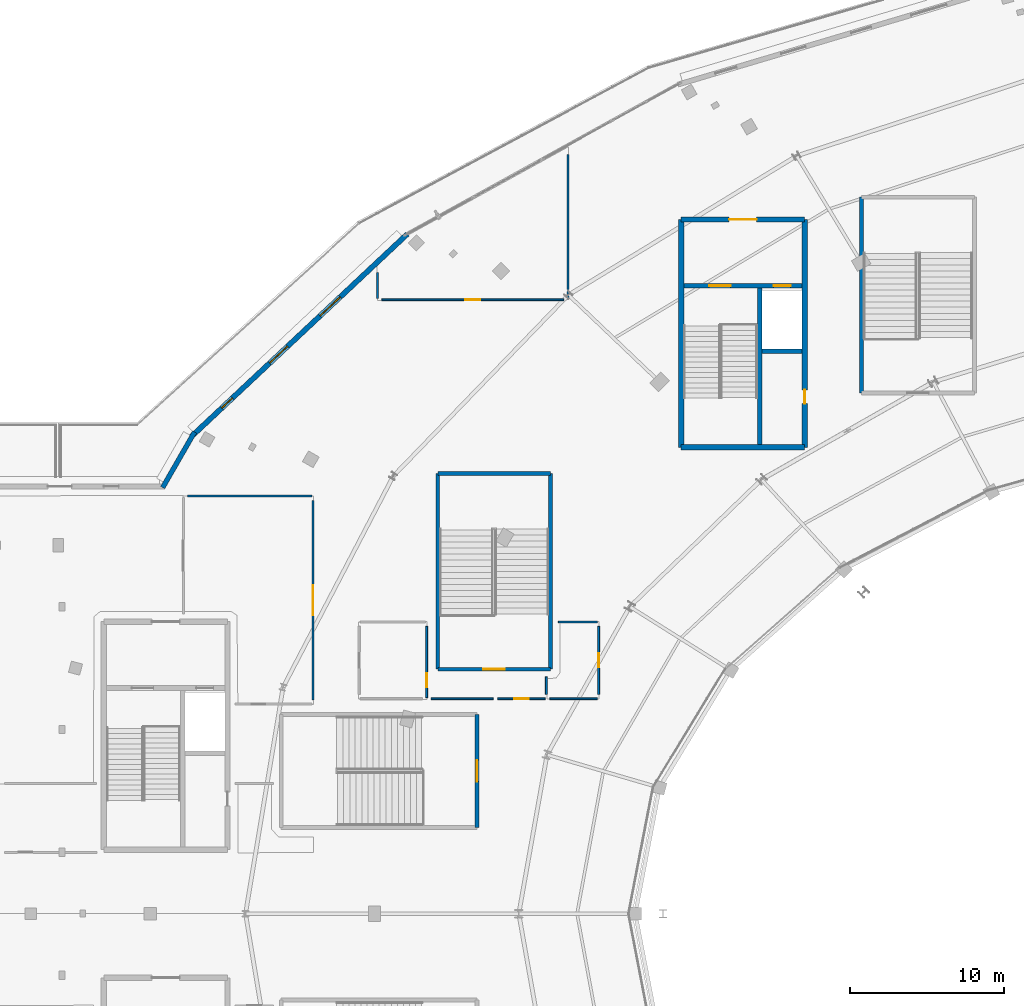
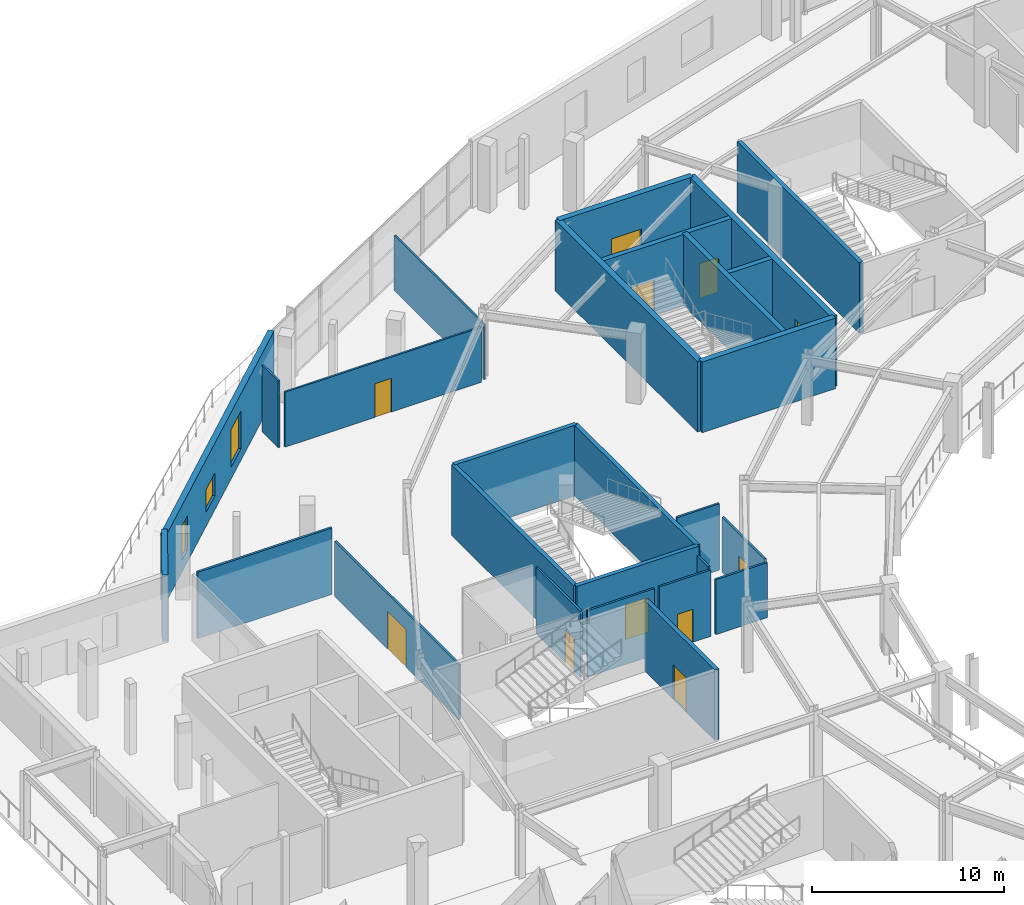
# One storey, part 78 of 107: 27 walls, 11 doors, 3 windows, 14 openings.
"""IFC4 building model written with IfcOpenShell, lengths in metres."""

from ifc_helpers import new_model, si_unit, direction, frame, frame_2d, origin, place, context, subcontext, project, spatial, rectangle, extrude, material, layer, layer_set, type_object, element, fill, save


model = new_model("IFC4")

# Units and contexts
model_context = context("Model", 3, precision=1e-05, world=origin(), true_north=direction((0.0, 1.0)))
body_context = subcontext(model_context, "Body", "Model", "MODEL_VIEW")
ifc_project = project(units=[si_unit("LENGTHUNIT", "METRE"), si_unit("AREAUNIT", "SQUARE_METRE"), si_unit("VOLUMEUNIT", "CUBIC_METRE"), si_unit("PLANEANGLEUNIT", "RADIAN"), si_unit("MASSUNIT", "GRAM", prefix="KILO")], contexts=[model_context])

# Site, building, storey
site_placement = place(None, origin())
site = spatial("IfcSite", under=ifc_project, at=site_placement, CompositionType="ELEMENT")
building_placement = place(site_placement, origin())
building = spatial("IfcBuilding", under=site, at=building_placement, Name="Kalgoora Escarpment Arena", CompositionType="ELEMENT")
storey_placement = place(building_placement, frame((0.0, 0.0, 5.39990234375)))
storey = spatial("IfcBuildingStorey", under=building, at=storey_placement, Name="L01", CompositionType="ELEMENT", Elevation=5.39990234375)

# Wall
ifc_material_1 = material(Name="Concrete N50 (fc' 50 MPa)", Category="concrete")
ifc_layer_1 = layer(ifc_material_1, 0.35009765625)
ifc_layer_set_1 = layer_set([ifc_layer_1], Name="WAL-CORE-350")
wall_type_1 = type_object("IfcWallType", Name="WAL-CORE-350", PredefinedType="SHEAR", material=ifc_layer_set_1)
wall_1_placement = place(storey_placement, frame((48.97509765625, 94.375, 0.0), z_axis=(0.0, 0.0, 1.0), x_axis=(1.0, 0.0, 0.0)))
element("IfcWall", 1, at=wall_1_placement, inside=storey, type_object=wall_type_1, Name="Core C3 L01 south shear wall", PredefinedType="SHEAR", context=body_context, shape_type="SweptSolid", body=[
    extrude(rectangle(XDim=8.0498046875, YDim=0.35009765625, at=frame_2d((4.02490234375, 0.0))), origin(), (0.0, 0.0, 1.0), 4.5),
])

# Wall, opening, door
wall_2_placement = place(storey_placement, frame((48.97509765625, 109.22509765625, 0.0), z_axis=(0.0, 0.0, 1.0), x_axis=(1.0, 0.0, 0.0)))
wall_2 = element("IfcWall", 2, at=wall_2_placement, inside=storey, type_object=wall_type_1, Name="Core C3 L01 north lobby wall", PredefinedType="SHEAR", context=body_context, shape_type="SweptSolid", body=[
    extrude(rectangle(XDim=8.0498046875, YDim=0.35009765625, at=frame_2d((4.02490234375, 0.0))), origin(), (0.0, 0.0, 1.0), 4.5),
])
opening_1_placement = place(wall_2_placement, frame((3.125, 0.0, 0.0)))
opening_1 = element("IfcOpeningElement", 3, at=opening_1_placement, cuts=wall_2, Name="Opening FD-C3L", PredefinedType="OPENING", context=body_context, shape_type="SweptSolid", body=[
    extrude(rectangle(XDim=1.800048828125, YDim=2.25, at=frame_2d((0.89990234375, 1.125))), frame((0.0, 0.18505859375, 0.0), z_axis=(0.0, -1.0, 0.0), x_axis=(1.0, 0.0, 0.0)), (0.0, 0.0, 1.0), 0.3701171875),
])
ifc_material_2 = material(Name="Double fire-rated smoke-seal lobby door")
door_type_1 = type_object("IfcDoorType", Name="DR-LOBBY-1800", OperationType="NOTDEFINED", PredefinedType="DOOR", material=ifc_material_2)
door_1_placement = place(opening_1_placement, origin())
door_1 = element("IfcDoor", 4, at=door_1_placement, inside=storey, type_object=door_type_1, Name="Core C3 L01 smoke-lobby fire door", OperationType="DOUBLE_DOOR_SINGLE_SWING", OverallHeight=2.25, OverallWidth=1.800048828125, PredefinedType="DOOR", context=body_context, shape_type="SweptSolid", body=[
    extrude(rectangle(XDim=1.800048828125, YDim=2.25, at=frame_2d((0.89990234375, 1.125))), frame((0.0, 0.02490234375, 0.0), z_axis=(0.0, -1.0, 0.0), x_axis=(1.0, 0.0, 0.0)), (0.0, 0.0, 1.0), 0.050048828125),
])
fill(opening_1, door_1)

# Wall
wall_3_placement = place(storey_placement, frame((48.97509765625, 94.375, 0.0), z_axis=(0.0, 0.0, 1.0), x_axis=(0.0, 1.0, 0.0)))
element("IfcWall", 5, at=wall_3_placement, inside=storey, type_object=wall_type_1, Name="Core C3 L01 west shear wall", PredefinedType="SHEAR", context=body_context, shape_type="SweptSolid", body=[
    extrude(rectangle(XDim=14.85009765625, YDim=0.35009765625, at=frame_2d((7.425048828125, 0.0))), origin(), (0.0, 0.0, 1.0), 4.5),
])

# Wall, opening, door
wall_4_placement = place(storey_placement, frame((57.02490234375, 94.375, 0.0), z_axis=(0.0, 0.0, 1.0), x_axis=(0.0, 1.0, 0.0)))
wall_4 = element("IfcWall", 6, at=wall_4_placement, inside=storey, type_object=wall_type_1, Name="Core C3 L01 east shear wall", PredefinedType="SHEAR", context=body_context, shape_type="SweptSolid", body=[
    extrude(rectangle(XDim=14.85009765625, YDim=0.35009765625, at=frame_2d((7.425048828125, 0.0))), origin(), (0.0, 0.0, 1.0), 4.5),
])
opening_2_placement = place(wall_4_placement, frame((2.85498046875, 0.0, 0.0)))
opening_2 = element("IfcOpeningElement", 7, at=opening_2_placement, cuts=wall_4, Name="Opening FD-C3R", PredefinedType="OPENING", context=body_context, shape_type="SweptSolid", body=[
    extrude(rectangle(XDim=0.89990234375, YDim=2.10009765625, at=frame_2d((0.449951171875, 1.050048828125))), frame((0.0, 0.18505859375, 0.0), z_axis=(0.0, -1.0, 0.0), x_axis=(1.0, 0.0, 0.0)), (0.0, 0.0, 1.0), 0.3701171875),
])
ifc_material_3 = material(Name="Fire-rated steel riser access door", Category="steel")
door_type_2 = type_object("IfcDoorType", Name="DR-RISER-0900", OperationType="NOTDEFINED", PredefinedType="DOOR", material=ifc_material_3)
door_2_placement = place(opening_2_placement, origin())
door_2 = element("IfcDoor", 8, at=door_2_placement, inside=storey, type_object=door_type_2, Name="Core C3 L01 riser cupboard access door", OperationType="SINGLE_SWING_RIGHT", OverallHeight=2.10009765625, OverallWidth=0.89990234375, PredefinedType="DOOR", context=body_context, shape_type="SweptSolid", body=[
    extrude(rectangle(XDim=0.89990234375, YDim=2.10009765625, at=frame_2d((0.449951171875, 1.050048828125))), frame((0.0, 0.02490234375, 0.0), z_axis=(0.0, -1.0, 0.0), x_axis=(1.0, 0.0, 0.0)), (0.0, 0.0, 1.0), 0.050048828125),
])
fill(opening_2, door_2)

# Wall
ifc_material_4 = material(Name="Hospitality acoustic drywall partition", Category="gypsum")
ifc_layer_2 = layer(ifc_material_4, 0.135009765625)
ifc_layer_set_2 = layer_set([ifc_layer_2], Name="WAL-DIN-135")
wall_type_2 = type_object("IfcWallType", Name="WAL-DIN-135", PredefinedType="PARTITIONING", material=ifc_layer_set_2)
wall_5_placement = place(storey_placement, frame((16.834716796875, 91.199951171875, 0.0), z_axis=(0.0, 0.0, 1.0), x_axis=(1.0, 0.0, 0.0)))
element("IfcWall", 9, at=wall_5_placement, inside=storey, type_object=wall_type_2, Name="L01 Arena Shop 4 partition wall", PredefinedType="PARTITIONING", context=body_context, shape_type="SweptSolid", body=[
    extrude(rectangle(XDim=8.085205078125, YDim=0.135009765625, at=frame_2d((4.04248046875, 0.0))), origin(), (0.0, 0.0, 1.0), 4.22998046875),
])

# Wall, opening, door
wall_6_placement = place(storey_placement, frame((25.0, 90.915283203125, 0.0), z_axis=(0.0, 0.0, 1.0), x_axis=(0.0, -1.0, 0.0)))
wall_6 = element("IfcWall", 10, at=wall_6_placement, inside=storey, type_object=wall_type_2, Name="L01 Arena Shop 4 partition wall", PredefinedType="PARTITIONING", context=body_context, shape_type="SweptSolid", body=[
    extrude(rectangle(XDim=12.98046875, YDim=0.135009765625, at=frame_2d((6.490234375, 0.0))), origin(), (0.0, 0.0, 1.0), 3.505126953125),
])
opening_3_placement = place(wall_6_placement, frame((5.51513671875, 0.0, 0.0)))
opening_3 = element("IfcOpeningElement", 11, at=opening_3_placement, cuts=wall_6, Name="Opening FD-I054", PredefinedType="OPENING", context=body_context, shape_type="SweptSolid", body=[
    extrude(rectangle(XDim=1.949951171875, YDim=2.39990234375, at=frame_2d((0.97509765625, 1.199951171875))), frame((0.0, 0.077392578125, 0.0), z_axis=(0.0, -1.0, 0.0), x_axis=(1.0, 0.0, 0.0)), (0.0, 0.0, 1.0), 0.155029296875),
])
ifc_material_5 = material(Name="Glazed champagne-framed hospitality double door")
door_type_3 = type_object("IfcDoorType", Name="DR-CLUB-1950", OperationType="NOTDEFINED", PredefinedType="DOOR", material=ifc_material_5)
door_3_placement = place(opening_3_placement, origin())
door_3 = element("IfcDoor", 12, at=door_3_placement, inside=storey, type_object=door_type_3, Name="Arena Shop 4 entrance door", OperationType="DOUBLE_DOOR_SINGLE_SWING", OverallHeight=2.39990234375, OverallWidth=1.949951171875, PredefinedType="DOOR", context=body_context, shape_type="SweptSolid", body=[
    extrude(rectangle(XDim=1.949951171875, YDim=2.39990234375, at=frame_2d((0.97509765625, 1.199951171875))), frame((0.0, 0.02490234375, 0.0), z_axis=(0.0, -1.0, 0.0), x_axis=(1.0, 0.0, 0.0)), (0.0, 0.0, 1.0), 0.050048828125),
])
fill(opening_3, door_3)

# Wall
ifc_material_6 = material(Name="Insulated limestone cladding precast wall 40 MPa", Category="masonry")
ifc_layer_3 = layer(ifc_material_6, 0.31494140625)
ifc_layer_set_3 = layer_set([ifc_layer_3], Name="WAL-EXT-315")
wall_type_3 = type_object("IfcWallType", Name="WAL-EXT-315", PredefinedType="SOLIDWALL", material=ifc_layer_set_3)
wall_7_placement = place(storey_placement, frame((15.201416015625, 91.76318359375, 0.0), z_axis=(0.0, 0.0, 1.0), x_axis=(0.498908523597, 0.866654651567, 0.0)))
element("IfcWall", 13, at=wall_7_placement, inside=storey, type_object=wall_type_3, Name="L01 limestone-faced external wall 033", PredefinedType="SOLIDWALL", context=body_context, shape_type="SweptSolid", body=[
    extrude(rectangle(XDim=4.173095703125, YDim=0.31494140625, at=frame_2d((2.08642578125, 0.0))), origin(), (0.0, 0.0, 1.0), 4.25),
])

# Wall, openings, windows
ifc_material_7 = material(Name="Fluted Art Deco precast concrete 40 MPa", Category="concrete")
ifc_layer_4 = layer(ifc_material_7, 0.340087890625)
ifc_layer_set_4 = layer_set([ifc_layer_4], Name="WAL-EXT-340")
wall_type_4 = type_object("IfcWallType", Name="WAL-EXT-340", PredefinedType="SOLIDWALL", material=ifc_layer_set_4)
wall_8_placement = place(storey_placement, frame((17.0283203125, 95.041015625, 0.0), z_axis=(0.0, 0.0, 1.0), x_axis=(0.729448660381, 0.684035563307, 0.0)))
wall_8 = element("IfcWall", 14, at=wall_8_placement, inside=storey, type_object=wall_type_4, Name="L01 limestone-faced external wall 034", PredefinedType="SOLIDWALL", context=body_context, shape_type="SweptSolid", body=[
    extrude(rectangle(XDim=19.34814453125, YDim=0.340087890625, at=frame_2d((9.674072265625, 0.0))), origin(), (0.0, 0.0, 1.0), 4.25),
])
opening_4_placement = place(wall_8_placement, frame((2.77490234375, 0.0, 0.75)))
opening_4 = element("IfcOpeningElement", 15, at=opening_4_placement, cuts=wall_8, Name="Opening W-17", PredefinedType="OPENING", context=body_context, shape_type="SweptSolid", body=[
    extrude(rectangle(XDim=0.949951171875, YDim=2.199951171875, at=frame_2d((0.47509765625, 1.10009765625))), frame((0.0, 0.179931640625, 0.0), z_axis=(0.0, -1.0, 0.0), x_axis=(1.0, 0.0, 0.0)), (0.0, 0.0, 1.0), 0.360107421875),
])
opening_5_placement = place(wall_8_placement, frame((7.050048828125, 0.0, 0.89990234375)))
opening_5 = element("IfcOpeningElement", 16, at=opening_5_placement, cuts=wall_8, Name="Opening W-19", PredefinedType="OPENING", context=body_context, shape_type="SweptSolid", body=[
    extrude(rectangle(XDim=1.60009765625, YDim=1.449951171875, at=frame_2d((0.800048828125, 0.72509765625))), frame((0.0, 0.179931640625, 0.0), z_axis=(0.0, -1.0, 0.0), x_axis=(1.0, 0.0, 0.0)), (0.0, 0.0, 1.0), 0.360107421875),
])
opening_6_placement = place(wall_8_placement, frame((11.550048828125, 0.0, 0.75)))
opening_6 = element("IfcOpeningElement", 17, at=opening_6_placement, cuts=wall_8, Name="Opening W-01", PredefinedType="OPENING", context=body_context, shape_type="SweptSolid", body=[
    extrude(rectangle(XDim=1.800048828125, YDim=2.39990234375, at=frame_2d((0.89990234375, 1.199951171875))), frame((0.0, 0.179931640625, 0.0), z_axis=(0.0, -1.0, 0.0), x_axis=(1.0, 0.0, 0.0)), (0.0, 0.0, 1.0), 0.360107421875),
])
ifc_material_8 = material(Name="Low-E solar-control double glazing in champagne frame", Category="glass")
window_type_1 = type_object("IfcWindowType", Name="WIN-BOH-1600x1450", PartitioningType="SINGLE_PANEL", PredefinedType="WINDOW", material=ifc_material_8)
window_1_placement = place(opening_5_placement, origin())
window_1 = element("IfcWindow", 18, at=window_1_placement, inside=storey, type_object=window_type_1, Name="L01 scheduled facade window 018", OverallHeight=1.449951171875, OverallWidth=1.60009765625, PartitioningType="SINGLE_PANEL", PredefinedType="WINDOW", context=body_context, shape_type="SweptSolid", body=[
    extrude(rectangle(XDim=1.60009765625, YDim=1.449951171875, at=frame_2d((0.800048828125, 0.72509765625))), frame((0.0, 0.030029296875, 0.0), z_axis=(0.0, -1.0, 0.0), x_axis=(1.0, 0.0, 0.0)), (0.0, 0.0, 1.0), 0.06005859375),
])
fill(opening_5, window_1)
ifc_material_9 = material(Name="Low-E solar-control double glazing in champagne frame", Category="glass")
window_type_2 = type_object("IfcWindowType", Name="WIN-DECO-1800x2400", PartitioningType="SINGLE_PANEL", PredefinedType="WINDOW", material=ifc_material_9)
window_2_placement = place(opening_6_placement, origin())
window_2 = element("IfcWindow", 19, at=window_2_placement, inside=storey, type_object=window_type_2, Name="L01 scheduled facade window 019", OverallHeight=2.39990234375, OverallWidth=1.800048828125, PartitioningType="SINGLE_PANEL", PredefinedType="WINDOW", context=body_context, shape_type="SweptSolid", body=[
    extrude(rectangle(XDim=1.800048828125, YDim=2.39990234375, at=frame_2d((0.89990234375, 1.199951171875))), frame((0.0, 0.030029296875, 0.0), z_axis=(0.0, -1.0, 0.0), x_axis=(1.0, 0.0, 0.0)), (0.0, 0.0, 1.0), 0.06005859375),
])
fill(opening_6, window_2)
ifc_material_10 = material(Name="Low-E solar-control double glazing in champagne frame", Category="glass")
window_type_3 = type_object("IfcWindowType", Name="WIN-SLOT-0950x2200", PartitioningType="SINGLE_PANEL", PredefinedType="WINDOW", material=ifc_material_10)
window_3_placement = place(opening_4_placement, origin())
window_3 = element("IfcWindow", 20, at=window_3_placement, inside=storey, type_object=window_type_3, Name="L01 scheduled facade window 017", OverallHeight=2.199951171875, OverallWidth=0.949951171875, PartitioningType="SINGLE_PANEL", PredefinedType="WINDOW", context=body_context, shape_type="SweptSolid", body=[
    extrude(rectangle(XDim=0.949951171875, YDim=2.199951171875, at=frame_2d((0.47509765625, 1.10009765625))), frame((0.0, 0.030029296875, 0.0), z_axis=(0.0, -1.0, 0.0), x_axis=(1.0, 0.0, 0.0)), (0.0, 0.0, 1.0), 0.06005859375),
])
fill(opening_4, window_3)

# Walls
ifc_material_11 = material(Name="Light steel-stud office partition", Category="steel")
ifc_layer_5 = layer(ifc_material_11, 0.114990234375)
ifc_layer_set_5 = layer_set([ifc_layer_5], Name="WAL-OFF-115")
wall_type_5 = type_object("IfcWallType", Name="WAL-OFF-115", PredefinedType="PARTITIONING", material=ifc_layer_set_5)
wall_9_placement = place(storey_placement, frame((29.199951171875, 104.080078125, 0.0), z_axis=(0.0, 0.0, 1.0), x_axis=(0.0, 1.0, 0.0)))
element("IfcWall", 21, at=wall_9_placement, inside=storey, type_object=wall_type_5, Name="L01 Swan Ticket Box Office partition wall", PredefinedType="PARTITIONING", context=body_context, shape_type="SweptSolid", body=[
    extrude(rectangle(XDim=1.677978515625, YDim=0.114990234375, at=frame_2d((0.8388671875, 0.0))), origin(), (0.0, 0.0, 1.0), 4.25),
])
wall_10_placement = place(storey_placement, frame((41.60009765625, 113.45166015625, 0.0), z_axis=(0.0, 0.0, 1.0), x_axis=(0.0, -1.0, 0.0)))
element("IfcWall", 22, at=wall_10_placement, inside=storey, type_object=wall_type_5, Name="L01 Swan Ticket Box Office partition wall", PredefinedType="PARTITIONING", context=body_context, shape_type="SweptSolid", body=[
    extrude(rectangle(XDim=9.37158203125, YDim=0.114990234375, at=frame_2d((4.685791015625, 0.0))), origin(), (0.0, 0.0, 1.0), 3.505126953125),
])

# Wall, opening, door
wall_11_placement = place(storey_placement, frame((41.315185546875, 104.0, 0.0), z_axis=(0.0, 0.0, 1.0), x_axis=(-1.0, 0.0, 0.0)))
wall_11 = element("IfcWall", 23, at=wall_11_placement, inside=storey, type_object=wall_type_5, Name="L01 Swan Ticket Box Office partition wall", PredefinedType="PARTITIONING", context=body_context, shape_type="SweptSolid", body=[
    extrude(rectangle(XDim=11.830322265625, YDim=0.114990234375, at=frame_2d((5.9150390625, 0.0))), origin(), (0.0, 0.0, 1.0), 3.505126953125),
])
opening_7_placement = place(wall_11_placement, frame((5.42529296875, 0.0, 0.0)))
opening_7 = element("IfcOpeningElement", 24, at=opening_7_placement, cuts=wall_11, Name="Opening D-I058", PredefinedType="OPENING", context=body_context, shape_type="SweptSolid", body=[
    extrude(rectangle(XDim=0.97998046875, YDim=2.14990234375, at=frame_2d((0.489990234375, 1.074951171875))), frame((0.0, 0.0673828125, 0.0), z_axis=(0.0, -1.0, 0.0), x_axis=(1.0, 0.0, 0.0)), (0.0, 0.0, 1.0), 0.135009765625),
])
ifc_material_12 = material(Name="Solid-core acoustic timber door", Category="wood")
door_type_4 = type_object("IfcDoorType", Name="DR-GEN-0980", OperationType="NOTDEFINED", PredefinedType="DOOR", material=ifc_material_12)
door_4_placement = place(opening_7_placement, origin())
door_4 = element("IfcDoor", 25, at=door_4_placement, inside=storey, type_object=door_type_4, Name="Swan Ticket Box Office entrance door", OperationType="SINGLE_SWING_LEFT", OverallHeight=2.14990234375, OverallWidth=0.97998046875, PredefinedType="DOOR", context=body_context, shape_type="SweptSolid", body=[
    extrude(rectangle(XDim=0.97998046875, YDim=2.14990234375, at=frame_2d((0.489990234375, 1.074951171875))), frame((0.0, 0.02490234375, 0.0), z_axis=(0.0, -1.0, 0.0), x_axis=(1.0, 0.0, 0.0)), (0.0, 0.0, 1.0), 0.050048828125),
])
fill(opening_7, door_4)

# Wall, openings, doors
ifc_material_13 = material(Name="Concrete N50 (fc' 50 MPa)", Category="concrete")
ifc_layer_6 = layer(ifc_material_13, 0.300048828125)
ifc_layer_set_6 = layer_set([ifc_layer_6], Name="WAL-SHAFT-300")
wall_type_6 = type_object("IfcWallType", Name="WAL-SHAFT-300", PredefinedType="SHEAR", material=ifc_layer_set_6)
wall_12_placement = place(storey_placement, frame((49.14990234375, 104.89990234375, 0.0), z_axis=(0.0, 0.0, 1.0), x_axis=(1.0, 0.0, 0.0)))
wall_12 = element("IfcWall", 26, at=wall_12_placement, inside=storey, type_object=wall_type_6, Name="Core C3 L01 lobby shaft wall", PredefinedType="SHEAR", context=body_context, shape_type="SweptSolid", body=[
    extrude(rectangle(XDim=7.7001953125, YDim=0.300048828125, at=frame_2d((3.85009765625, 0.0))), origin(), (0.0, 0.0, 1.0), 4.5),
])
opening_8_placement = place(wall_12_placement, frame((1.64990234375, 0.0, 0.0)))
opening_8 = element("IfcOpeningElement", 27, at=opening_8_placement, cuts=wall_12, Name="Opening FD-ST03", PredefinedType="OPENING", context=body_context, shape_type="SweptSolid", body=[
    extrude(rectangle(XDim=1.39990234375, YDim=2.199951171875, at=frame_2d((0.699951171875, 1.10009765625))), frame((0.0, 0.159912109375, 0.0), z_axis=(0.0, -1.0, 0.0), x_axis=(1.0, 0.0, 0.0)), (0.0, 0.0, 1.0), 0.320068359375),
])
opening_9_placement = place(wall_12_placement, frame((5.85009765625, 0.0, 0.0)))
opening_9 = element("IfcOpeningElement", 28, at=opening_9_placement, cuts=wall_12, Name="Opening LD-PL1", PredefinedType="OPENING", context=body_context, shape_type="SweptSolid", body=[
    extrude(rectangle(XDim=1.10009765625, YDim=2.199951171875, at=frame_2d((0.550048828125, 1.10009765625))), frame((0.0, 0.159912109375, 0.0), z_axis=(0.0, -1.0, 0.0), x_axis=(1.0, 0.0, 0.0)), (0.0, 0.0, 1.0), 0.320068359375),
])
ifc_material_14 = material(Name="Brushed stainless steel sliding lift landing door", Category="steel")
door_type_5 = type_object("IfcDoorType", Name="DR-LD-PL1", OperationType="SLIDING_TO_LEFT", PredefinedType="DOOR", material=ifc_material_14)
door_5_placement = place(opening_9_placement, origin())
door_5 = element("IfcDoor", 29, at=door_5_placement, inside=storey, type_object=door_type_5, Name="Lift PL1 L01 sliding landing door", OperationType="SLIDING_TO_LEFT", OverallHeight=2.199951171875, OverallWidth=1.10009765625, PredefinedType="DOOR", context=body_context, shape_type="SweptSolid", body=[
    extrude(rectangle(XDim=1.10009765625, YDim=2.199951171875, at=frame_2d((0.550048828125, 1.10009765625))), frame((0.0, 0.02490234375, 0.0), z_axis=(0.0, -1.0, 0.0), x_axis=(1.0, 0.0, 0.0)), (0.0, 0.0, 1.0), 0.050048828125),
])
fill(opening_9, door_5)
ifc_material_15 = material(Name="Fire-rated steel stair leaf with vision panel", Category="steel")
door_type_6 = type_object("IfcDoorType", Name="DR-STAIR-1400", OperationType="NOTDEFINED", PredefinedType="DOOR", material=ifc_material_15)
door_6_placement = place(opening_8_placement, origin())
door_6 = element("IfcDoor", 30, at=door_6_placement, inside=storey, type_object=door_type_6, Name="Fire stair ST03 L01 fire door", OperationType="SINGLE_SWING_LEFT", OverallHeight=2.199951171875, OverallWidth=1.39990234375, PredefinedType="DOOR", context=body_context, shape_type="SweptSolid", body=[
    extrude(rectangle(XDim=1.39990234375, YDim=2.199951171875, at=frame_2d((0.699951171875, 1.10009765625))), frame((0.0, 0.02490234375, 0.0), z_axis=(0.0, -1.0, 0.0), x_axis=(1.0, 0.0, 0.0)), (0.0, 0.0, 1.0), 0.050048828125),
])
fill(opening_8, door_6)

# Walls
wall_13_placement = place(storey_placement, frame((54.10009765625, 94.550048828125, 0.0), z_axis=(0.0, 0.0, 1.0), x_axis=(0.0, 1.0, 0.0)))
element("IfcWall", 31, at=wall_13_placement, inside=storey, type_object=wall_type_6, Name="Core C3 L01 stair-lift spine wall", PredefinedType="SHEAR", context=body_context, shape_type="SweptSolid", body=[
    extrude(rectangle(XDim=10.349853515625, YDim=0.300048828125, at=frame_2d((5.1748046875, 0.0))), origin(), (0.0, 0.0, 1.0), 4.5),
])
wall_14_placement = place(storey_placement, frame((54.25, 100.64990234375, 0.0), z_axis=(0.0, 0.0, 1.0), x_axis=(1.0, 0.0, 0.0)))
element("IfcWall", 32, at=wall_14_placement, inside=storey, type_object=wall_type_6, Name="Core C3 L01 lift-riser divider wall", PredefinedType="SHEAR", context=body_context, shape_type="SweptSolid", body=[
    extrude(rectangle(XDim=2.60009765625, YDim=0.300048828125, at=frame_2d((1.300048828125, 0.0))), origin(), (0.0, 0.0, 1.0), 4.5),
])
ifc_material_16 = material(Name="Concrete N50 (fc' 50 MPa)", Category="concrete")
ifc_layer_7 = layer(ifc_material_16, 0.25)
ifc_layer_set_7 = layer_set([ifc_layer_7], Name="WAL-STAIR-250")
wall_type_7 = type_object("IfcWallType", Name="WAL-STAIR-250", PredefinedType="SHEAR", material=ifc_layer_set_7)
wall_15_placement = place(storey_placement, frame((60.72509765625, 97.925048828125, 0.0), z_axis=(0.0, 0.0, 1.0), x_axis=(0.0, 1.0, 0.0)))
element("IfcWall", 33, at=wall_15_placement, inside=storey, type_object=wall_type_7, Name="Exit stair ST09 L01 west wall", PredefinedType="SHEAR", context=body_context, shape_type="SweptSolid", body=[
    extrude(rectangle(XDim=12.75, YDim=0.25, at=frame_2d((6.375, 0.0))), origin(), (0.0, 0.0, 1.0), 4.5),
])

# Wall, opening, door
wall_16_placement = place(storey_placement, frame((35.675048828125, 69.625, 0.0), z_axis=(0.0, 0.0, 1.0), x_axis=(0.0, 1.0, 0.0)))
wall_16 = element("IfcWall", 34, at=wall_16_placement, inside=storey, type_object=wall_type_7, Name="Exit stair ST17 L01 east wall", PredefinedType="SHEAR", context=body_context, shape_type="SweptSolid", body=[
    extrude(rectangle(XDim=7.35009765625, YDim=0.25, at=frame_2d((3.675048828125, 0.0))), origin(), (0.0, 0.0, 1.0), 4.5),
])
opening_10_placement = place(wall_16_placement, frame((2.97509765625, 0.0, 0.0)))
opening_10 = element("IfcOpeningElement", 35, at=opening_10_placement, cuts=wall_16, Name="Opening FD-ST17", PredefinedType="OPENING", context=body_context, shape_type="SweptSolid", body=[
    extrude(rectangle(XDim=1.39990234375, YDim=2.199951171875, at=frame_2d((0.699951171875, 1.10009765625))), frame((0.0, 0.135009765625, 0.0), z_axis=(0.0, -1.0, 0.0), x_axis=(1.0, 0.0, 0.0)), (0.0, 0.0, 1.0), 0.27001953125),
])
door_7_placement = place(opening_10_placement, origin())
door_7 = element("IfcDoor", 36, at=door_7_placement, inside=storey, type_object=door_type_6, Name="Fire-isolated stair ST17 L01 egress door", OperationType="SINGLE_SWING_LEFT", OverallHeight=2.199951171875, OverallWidth=1.39990234375, PredefinedType="DOOR", context=body_context, shape_type="SweptSolid", body=[
    extrude(rectangle(XDim=1.39990234375, YDim=2.199951171875, at=frame_2d((0.699951171875, 1.10009765625))), frame((0.0, 0.02490234375, 0.0), z_axis=(0.0, -1.0, 0.0), x_axis=(1.0, 0.0, 0.0)), (0.0, 0.0, 1.0), 0.050048828125),
])
fill(opening_10, door_7)

wall_17_placement = place(storey_placement, frame((33.125, 79.925048828125, 0.0), z_axis=(0.0, 0.0, 1.0), x_axis=(1.0, 0.0, 0.0)))
wall_17 = element("IfcWall", 37, at=wall_17_placement, inside=storey, type_object=wall_type_7, Name="Exit stair ST19 L01 south wall", PredefinedType="SHEAR", context=body_context, shape_type="SweptSolid", body=[
    extrude(rectangle(XDim=7.35009765625, YDim=0.25, at=frame_2d((3.675048828125, 0.0))), origin(), (0.0, 0.0, 1.0), 4.5),
])
opening_11_placement = place(wall_17_placement, frame((2.97509765625, 0.0, 0.0)))
opening_11 = element("IfcOpeningElement", 38, at=opening_11_placement, cuts=wall_17, Name="Opening FD-ST19", PredefinedType="OPENING", context=body_context, shape_type="SweptSolid", body=[
    extrude(rectangle(XDim=1.39990234375, YDim=2.199951171875, at=frame_2d((0.699951171875, 1.10009765625))), frame((0.0, 0.135009765625, 0.0), z_axis=(0.0, -1.0, 0.0), x_axis=(1.0, 0.0, 0.0)), (0.0, 0.0, 1.0), 0.27001953125),
])
door_8_placement = place(opening_11_placement, origin())
door_8 = element("IfcDoor", 39, at=door_8_placement, inside=storey, type_object=door_type_6, Name="Fire-isolated stair ST19 L01 egress door", OperationType="SINGLE_SWING_LEFT", OverallHeight=2.199951171875, OverallWidth=1.39990234375, PredefinedType="DOOR", context=body_context, shape_type="SweptSolid", body=[
    extrude(rectangle(XDim=1.39990234375, YDim=2.199951171875, at=frame_2d((0.699951171875, 1.10009765625))), frame((0.0, 0.02490234375, 0.0), z_axis=(0.0, -1.0, 0.0), x_axis=(1.0, 0.0, 0.0)), (0.0, 0.0, 1.0), 0.050048828125),
])
fill(opening_11, door_8)

# Walls
wall_18_placement = place(storey_placement, frame((33.125, 92.675048828125, 0.0), z_axis=(0.0, 0.0, 1.0), x_axis=(1.0, 0.0, 0.0)))
element("IfcWall", 40, at=wall_18_placement, inside=storey, type_object=wall_type_7, Name="Exit stair ST19 L01 north wall", PredefinedType="SHEAR", context=body_context, shape_type="SweptSolid", body=[
    extrude(rectangle(XDim=7.35009765625, YDim=0.25, at=frame_2d((3.675048828125, 0.0))), origin(), (0.0, 0.0, 1.0), 4.5),
])
for number, where, z_axis, x_axis, name in (
    (41, (33.125, 79.925048828125, 0.0), (0.0, 0.0, 1.0), (0.0, 1.0, 0.0), "Exit stair ST19 L01 west wall"),
    (42, (40.47509765625, 79.925048828125, 0.0), (0.0, 0.0, 1.0), (0.0, 1.0, 0.0), "Exit stair ST19 L01 east wall"),
):
    element("IfcWall", number, at=place(storey_placement, frame(where, z_axis=z_axis, x_axis=x_axis)), inside=storey, type_object=wall_type_7, Name=name, PredefinedType="SHEAR", context=body_context, shape_type="SweptSolid", body=[
        extrude(rectangle(XDim=12.75, YDim=0.25, at=frame_2d((6.375, 0.0))), origin(), (0.0, 0.0, 1.0), 4.5),
    ])

# Wall, opening, door
ifc_material_17 = material(Name="Moisture-resistant wet-area partition", Category="gypsum")
ifc_layer_8 = layer(ifc_material_17, 0.125)
ifc_layer_set_8 = layer_set([ifc_layer_8], Name="WAL-WC-125")
wall_type_8 = type_object("IfcWallType", Name="WAL-WC-125", PredefinedType="PARTITIONING", material=ifc_layer_set_8)
wall_19_placement = place(storey_placement, frame((32.39990234375, 82.715087890625, 0.0), z_axis=(0.0, 0.0, 1.0), x_axis=(0.0, -1.0, 0.0)))
wall_19 = element("IfcWall", 43, at=wall_19_placement, inside=storey, type_object=wall_type_8, Name="L01 Male WC 1 partition wall", PredefinedType="PARTITIONING", context=body_context, shape_type="SweptSolid", body=[
    extrude(rectangle(XDim=4.635009765625, YDim=0.125, at=frame_2d((2.3173828125, 0.0))), origin(), (0.0, 0.0, 1.0), 4.22998046875),
])
opening_12_placement = place(wall_19_placement, frame((3.04638671875, 0.0, 0.0)))
opening_12 = element("IfcOpeningElement", 44, at=opening_12_placement, cuts=wall_19, Name="Opening D-I044", PredefinedType="OPENING", context=body_context, shape_type="SweptSolid", body=[
    extrude(rectangle(XDim=0.919921875, YDim=2.10009765625, at=frame_2d((0.4599609375, 1.050048828125))), frame((0.0, 0.072509765625, 0.0), z_axis=(0.0, -1.0, 0.0), x_axis=(1.0, 0.0, 0.0)), (0.0, 0.0, 1.0), 0.14501953125),
])
ifc_material_18 = material(Name="Moisture-resistant laminate WC door")
door_type_7 = type_object("IfcDoorType", Name="DR-WC-0920", OperationType="NOTDEFINED", PredefinedType="DOOR", material=ifc_material_18)
door_9_placement = place(opening_12_placement, origin())
door_9 = element("IfcDoor", 45, at=door_9_placement, inside=storey, type_object=door_type_7, Name="Female WC 1 entrance door", OperationType="SINGLE_SWING_LEFT", OverallHeight=2.10009765625, OverallWidth=0.919921875, PredefinedType="DOOR", context=body_context, shape_type="SweptSolid", body=[
    extrude(rectangle(XDim=0.919921875, YDim=2.10009765625, at=frame_2d((0.4599609375, 1.050048828125))), frame((0.0, 0.02490234375, 0.0), z_axis=(0.0, -1.0, 0.0), x_axis=(1.0, 0.0, 0.0)), (0.0, 0.0, 1.0), 0.050048828125),
])
fill(opening_12, door_9)

# Wall
wall_20_placement = place(storey_placement, frame((36.719970703125, 78.0, 0.0), z_axis=(0.0, 0.0, 1.0), x_axis=(-1.0, 0.0, 0.0)))
element("IfcWall", 46, at=wall_20_placement, inside=storey, type_object=wall_type_8, Name="L01 Female WC 1 partition wall", PredefinedType="PARTITIONING", context=body_context, shape_type="SweptSolid", body=[
    extrude(rectangle(XDim=4.03515625, YDim=0.125, at=frame_2d((2.017578125, 0.0))), origin(), (0.0, 0.0, 1.0), 4.22998046875),
])

# Wall, opening, door
wall_21_placement = place(storey_placement, frame((40.1201171875, 78.0, 0.0), z_axis=(0.0, 0.0, 1.0), x_axis=(-1.0, 0.0, 0.0)))
wall_21 = element("IfcWall", 47, at=wall_21_placement, inside=storey, type_object=wall_type_8, Name="L01 Accessible WC 1 partition wall", PredefinedType="PARTITIONING", context=body_context, shape_type="SweptSolid", body=[
    extrude(rectangle(XDim=3.10009765625, YDim=0.125, at=frame_2d((1.550048828125, 0.0))), origin(), (0.0, 0.0, 1.0), 4.22998046875),
])
opening_13_placement = place(wall_21_placement, frame((1.074951171875, 0.0, 0.0)))
opening_13 = element("IfcOpeningElement", 48, at=opening_13_placement, cuts=wall_21, Name="Opening D-I045", PredefinedType="OPENING", context=body_context, shape_type="SweptSolid", body=[
    extrude(rectangle(XDim=0.949951171875, YDim=2.10009765625, at=frame_2d((0.47509765625, 1.050048828125))), frame((0.0, 0.072509765625, 0.0), z_axis=(0.0, -1.0, 0.0), x_axis=(1.0, 0.0, 0.0)), (0.0, 0.0, 1.0), 0.14501953125),
])
ifc_material_19 = material(Name="Moisture-resistant laminate accessible WC door")
door_type_8 = type_object("IfcDoorType", Name="DR-WC-0950", OperationType="NOTDEFINED", PredefinedType="DOOR", material=ifc_material_19)
door_10_placement = place(opening_13_placement, origin())
door_10 = element("IfcDoor", 49, at=door_10_placement, inside=storey, type_object=door_type_8, Name="Accessible WC 1 entrance door", OperationType="SINGLE_SWING_RIGHT", OverallHeight=2.10009765625, OverallWidth=0.949951171875, PredefinedType="DOOR", context=body_context, shape_type="SweptSolid", body=[
    extrude(rectangle(XDim=0.949951171875, YDim=2.10009765625, at=frame_2d((0.47509765625, 1.050048828125))), frame((0.0, 0.02490234375, 0.0), z_axis=(0.0, -1.0, 0.0), x_axis=(1.0, 0.0, 0.0)), (0.0, 0.0, 1.0), 0.050048828125),
])
fill(opening_13, door_10)

# Walls
wall_22_placement = place(storey_placement, frame((40.199951171875, 79.425048828125, 0.0), z_axis=(0.0, 0.0, 1.0), x_axis=(0.0, -1.0, 0.0)))
element("IfcWall", 50, at=wall_22_placement, inside=storey, type_object=wall_type_8, Name="L01 Accessible WC 1 partition wall", PredefinedType="PARTITIONING", context=body_context, shape_type="SweptSolid", body=[
    extrude(rectangle(XDim=1.14013671875, YDim=0.125, at=frame_2d((0.570068359375, 0.0))), origin(), (0.0, 0.0, 1.0), 4.22998046875),
])
wall_23_placement = place(storey_placement, frame((43.52001953125, 78.0, 0.0), z_axis=(0.0, 0.0, 1.0), x_axis=(-1.0, 0.0, 0.0)))
element("IfcWall", 51, at=wall_23_placement, inside=storey, type_object=wall_type_8, Name="L01 Staff WC 1 partition wall", PredefinedType="PARTITIONING", context=body_context, shape_type="SweptSolid", body=[
    extrude(rectangle(XDim=3.10009765625, YDim=0.125, at=frame_2d((1.550048828125, 0.0))), origin(), (0.0, 0.0, 1.0), 3.505126953125),
])
wall_24_placement = place(storey_placement, frame((40.97509765625, 83.0, 0.0), z_axis=(0.0, 0.0, 1.0), x_axis=(1.0, 0.0, 0.0)))
element("IfcWall", 52, at=wall_24_placement, inside=storey, type_object=wall_type_8, Name="L01 Staff WC 1 partition wall", PredefinedType="PARTITIONING", context=body_context, shape_type="SweptSolid", body=[
    extrude(rectangle(XDim=2.544921875, YDim=0.125, at=frame_2d((1.2724609375, 0.0))), origin(), (0.0, 0.0, 1.0), 4.22998046875),
])

# Wall, opening, door
wall_25_placement = place(storey_placement, frame((43.60009765625, 82.715087890625, 0.0), z_axis=(0.0, 0.0, 1.0), x_axis=(0.0, -1.0, 0.0)))
wall_25 = element("IfcWall", 53, at=wall_25_placement, inside=storey, type_object=wall_type_8, Name="L01 Staff WC 1 partition wall", PredefinedType="PARTITIONING", context=body_context, shape_type="SweptSolid", body=[
    extrude(rectangle(XDim=4.43017578125, YDim=0.125, at=frame_2d((2.215087890625, 0.0))), origin(), (0.0, 0.0, 1.0), 3.505126953125),
])
opening_14_placement = place(wall_25_placement, frame((1.755126953125, 0.0, 0.0)))
opening_14 = element("IfcOpeningElement", 54, at=opening_14_placement, cuts=wall_25, Name="Opening D-I046", PredefinedType="OPENING", context=body_context, shape_type="SweptSolid", body=[
    extrude(rectangle(XDim=0.919921875, YDim=2.10009765625, at=frame_2d((0.4599609375, 1.050048828125))), frame((0.0, 0.072509765625, 0.0), z_axis=(0.0, -1.0, 0.0), x_axis=(1.0, 0.0, 0.0)), (0.0, 0.0, 1.0), 0.14501953125),
])
door_11_placement = place(opening_14_placement, origin())
door_11 = element("IfcDoor", 55, at=door_11_placement, inside=storey, type_object=door_type_7, Name="Staff WC 1 entrance door", OperationType="SINGLE_SWING_LEFT", OverallHeight=2.10009765625, OverallWidth=0.919921875, PredefinedType="DOOR", context=body_context, shape_type="SweptSolid", body=[
    extrude(rectangle(XDim=0.919921875, YDim=2.10009765625, at=frame_2d((0.4599609375, 1.050048828125))), frame((0.0, 0.02490234375, 0.0), z_axis=(0.0, -1.0, 0.0), x_axis=(1.0, 0.0, 0.0)), (0.0, 0.0, 1.0), 0.050048828125),
])
fill(opening_14, door_11)

save(model, "model.ifc")
